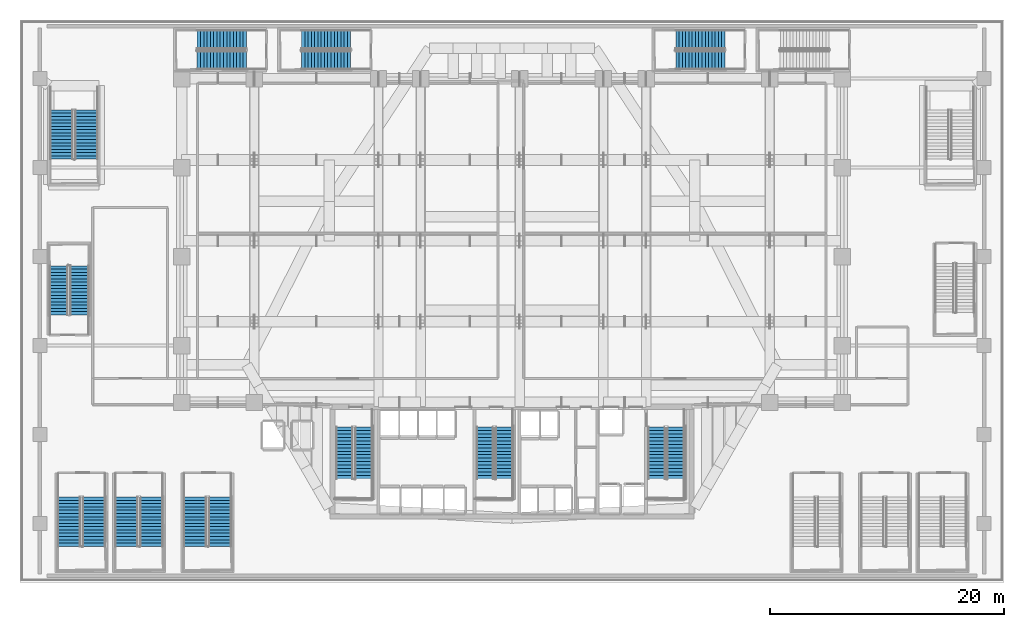
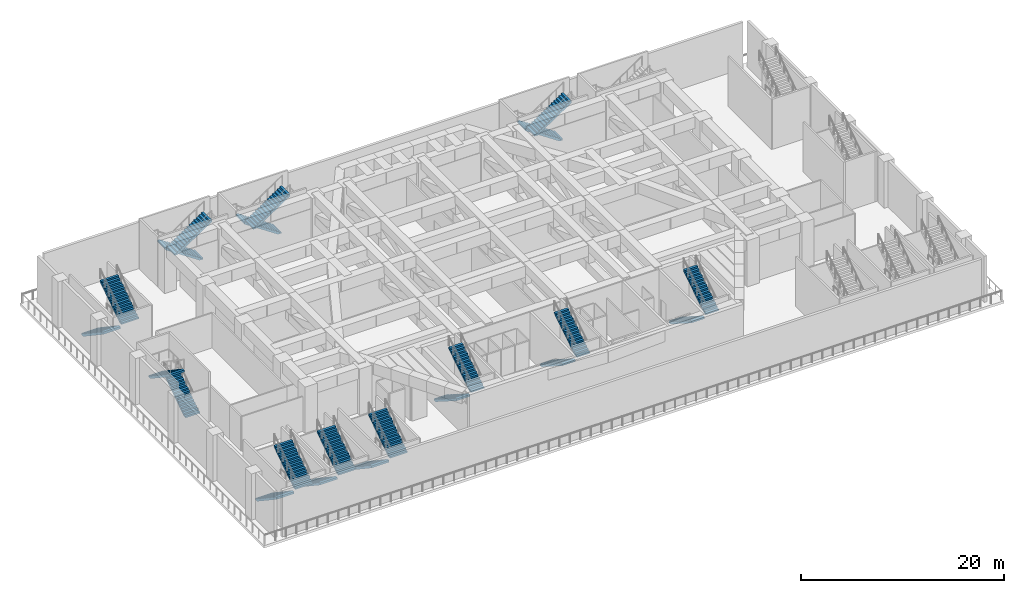
# One storey, part 13 of 27: 22 stair flights, 11 elements without a shape of their own.
"""IFC4 building model written with IfcOpenShell, lengths in metres."""

from ifc_helpers import new_model, si_unit, direction, frame, origin, place, context, subcontext, project, spatial, polyline, outline, extrude, material, type_object, element, aggregate, save


model = new_model("IFC4")

# Units and contexts
model_context = context("Model", 3, precision=1e-05, world=origin(), true_north=direction((0.0, 1.0)))
body_context = subcontext(model_context, "Body", "Model", "MODEL_VIEW")
ifc_project = project(units=[si_unit("LENGTHUNIT", "METRE"), si_unit("AREAUNIT", "SQUARE_METRE"), si_unit("VOLUMEUNIT", "CUBIC_METRE"), si_unit("PLANEANGLEUNIT", "RADIAN"), si_unit("MASSUNIT", "GRAM", prefix="KILO")], contexts=[model_context])

# Site, building, storey
site_placement = place(None, origin())
site = spatial("IfcSite", under=ifc_project, at=site_placement, CompositionType="ELEMENT")
building_placement = place(site_placement, origin())
building = spatial("IfcBuilding", under=site, at=building_placement, Name="Ndaravel Arena Tower", CompositionType="ELEMENT")
storey_placement = place(building_placement, frame((0.0, 0.0, 24.0)))
storey = spatial("IfcBuildingStorey", under=building, at=storey_placement, Name="L04", CompositionType="ELEMENT", Elevation=24.0)

# Stair, stair flights
ifc_material_1 = material(Name="Concrete C40/50", Category="concrete")
stair_type_1 = type_object("IfcStairType", Name="STAIR-ARENA-HT", PredefinedType="HALF_TURN_STAIR", material=ifc_material_1)
stair_1_placement = place(storey_placement, origin())
stair_1 = element("IfcStair", 1, at=stair_1_placement, inside=storey, type_object=stair_type_1, Name="L04 ST-A01", PredefinedType="HALF_TURN_STAIR")
ifc_material_2 = material(Name="Concrete C40/50", Category="concrete")
stair_flight_type_1 = type_object("IfcStairFlightType", Name="SFLIGHT-ARENA-1980", PredefinedType="STRAIGHT", material=ifc_material_2)
stair_flight_1_placement = place(storey_placement, frame((4.18994140625, 7.27001953125, 0.0), z_axis=(0.0, 0.0, 1.0), x_axis=(0.0, -1.0, 0.0)))
stair_flight_1 = element("IfcStairFlight", 2, at=stair_flight_1_placement, type_object=stair_flight_type_1, Name="ST-A01 flight 1", NumberOfRisers=16, NumberOfTreads=15, PredefinedType="STRAIGHT", RiserHeight=0.1875, TreadLength=0.28, context=body_context, shape_type="SweptSolid", body=[
    extrude(outline(polyline([(0.0, 0.0), (0.0, 0.1875), (0.280029296875, 0.1875), (0.280029296875, 0.375), (0.56005859375, 0.375), (0.56005859375, 0.5625), (0.840087890625, 0.5625), (0.840087890625, 0.75), (1.1201171875, 0.75), (1.1201171875, 0.9375), (1.39990234375, 0.9375), (1.39990234375, 1.125), (1.679931640625, 1.125), (1.679931640625, 1.3125), (1.9599609375, 1.3125), (1.9599609375, 1.5), (2.239990234375, 1.5), (2.239990234375, 1.6875), (2.52001953125, 1.6875), (2.52001953125, 1.875), (2.800048828125, 1.875), (2.800048828125, 2.0625), (3.080078125, 2.0625), (3.080078125, 2.25), (3.360107421875, 2.25), (3.360107421875, 2.4375), (3.639892578125, 2.4375), (3.639892578125, 2.625), (3.919921875, 2.625), (3.919921875, 2.8125), (4.199951171875, 2.8125), (4.199951171875, 3.0), (4.199951171875, 2.57177734375), (0.359375, 0.0), (0.0, 0.0)])), frame((0.0, 0.989990234375, 0.0), z_axis=(0.0, -1.0, 0.0), x_axis=(1.0, 0.0, 0.0)), (0.0, 0.0, 1.0), 1.97998046875),
])
stair_flight_2_placement = place(storey_placement, frame((6.31005859375, 3.070068359375, 3.0), z_axis=(0.0, 0.0, 1.0), x_axis=(0.0, 1.0, 0.0)))
stair_flight_2 = element("IfcStairFlight", 3, at=stair_flight_2_placement, type_object=stair_flight_type_1, Name="ST-A01 flight 2", NumberOfRisers=16, NumberOfTreads=15, PredefinedType="STRAIGHT", RiserHeight=0.1875, TreadLength=0.28, context=body_context, shape_type="SweptSolid", body=[
    extrude(outline(polyline([(0.0, 0.0), (0.0, 0.1875), (0.280029296875, 0.1875), (0.280029296875, 0.375), (0.56005859375, 0.375), (0.56005859375, 0.5625), (0.840087890625, 0.5625), (0.840087890625, 0.75), (1.1201171875, 0.75), (1.1201171875, 0.9375), (1.39990234375, 0.9375), (1.39990234375, 1.125), (1.679931640625, 1.125), (1.679931640625, 1.3125), (1.9599609375, 1.3125), (1.9599609375, 1.5), (2.239990234375, 1.5), (2.239990234375, 1.6875), (2.52001953125, 1.6875), (2.52001953125, 1.875), (2.800048828125, 1.875), (2.800048828125, 2.0625), (3.080078125, 2.0625), (3.080078125, 2.25), (3.360107421875, 2.25), (3.360107421875, 2.4375), (3.639892578125, 2.4375), (3.639892578125, 2.625), (3.919921875, 2.625), (3.919921875, 2.8125), (4.199951171875, 2.8125), (4.199951171875, 3.0), (4.199951171875, 2.57177734375), (0.359375, 0.0), (0.0, 0.0)])), frame((0.0, 0.989990234375, 0.0), z_axis=(0.0, -1.0, 0.0), x_axis=(1.0, 0.0, 0.0)), (0.0, 0.0, 1.0), 1.97998046875),
])
aggregate(stair_1, [stair_flight_1, stair_flight_2])

stair_2_placement = place(storey_placement, origin())
stair_2 = element("IfcStair", 4, at=stair_2_placement, inside=storey, type_object=stair_type_1, Name="L04 ST-A02", PredefinedType="HALF_TURN_STAIR")
stair_flight_3_placement = place(storey_placement, frame((9.090087890625, 7.27001953125, 0.0), z_axis=(0.0, 0.0, 1.0), x_axis=(0.0, -1.0, 0.0)))
stair_flight_3 = element("IfcStairFlight", 5, at=stair_flight_3_placement, type_object=stair_flight_type_1, Name="ST-A02 flight 1", NumberOfRisers=16, NumberOfTreads=15, PredefinedType="STRAIGHT", RiserHeight=0.1875, TreadLength=0.28, context=body_context, shape_type="SweptSolid", body=[
    extrude(outline(polyline([(0.0, 0.0), (0.0, 0.1875), (0.280029296875, 0.1875), (0.280029296875, 0.375), (0.56005859375, 0.375), (0.56005859375, 0.5625), (0.840087890625, 0.5625), (0.840087890625, 0.75), (1.1201171875, 0.75), (1.1201171875, 0.9375), (1.39990234375, 0.9375), (1.39990234375, 1.125), (1.679931640625, 1.125), (1.679931640625, 1.3125), (1.9599609375, 1.3125), (1.9599609375, 1.5), (2.239990234375, 1.5), (2.239990234375, 1.6875), (2.52001953125, 1.6875), (2.52001953125, 1.875), (2.800048828125, 1.875), (2.800048828125, 2.0625), (3.080078125, 2.0625), (3.080078125, 2.25), (3.360107421875, 2.25), (3.360107421875, 2.4375), (3.639892578125, 2.4375), (3.639892578125, 2.625), (3.919921875, 2.625), (3.919921875, 2.8125), (4.199951171875, 2.8125), (4.199951171875, 3.0), (4.199951171875, 2.57177734375), (0.359375, 0.0), (0.0, 0.0)])), frame((0.0, 0.989990234375, 0.0), z_axis=(0.0, -1.0, 0.0), x_axis=(1.0, 0.0, 0.0)), (0.0, 0.0, 1.0), 1.97998046875),
])
stair_flight_4_placement = place(storey_placement, frame((11.2099609375, 3.070068359375, 3.0), z_axis=(0.0, 0.0, 1.0), x_axis=(0.0, 1.0, 0.0)))
stair_flight_4 = element("IfcStairFlight", 6, at=stair_flight_4_placement, type_object=stair_flight_type_1, Name="ST-A02 flight 2", NumberOfRisers=16, NumberOfTreads=15, PredefinedType="STRAIGHT", RiserHeight=0.1875, TreadLength=0.28, context=body_context, shape_type="SweptSolid", body=[
    extrude(outline(polyline([(0.0, 0.0), (0.0, 0.1875), (0.280029296875, 0.1875), (0.280029296875, 0.375), (0.56005859375, 0.375), (0.56005859375, 0.5625), (0.840087890625, 0.5625), (0.840087890625, 0.75), (1.1201171875, 0.75), (1.1201171875, 0.9375), (1.39990234375, 0.9375), (1.39990234375, 1.125), (1.679931640625, 1.125), (1.679931640625, 1.3125), (1.9599609375, 1.3125), (1.9599609375, 1.5), (2.239990234375, 1.5), (2.239990234375, 1.6875), (2.52001953125, 1.6875), (2.52001953125, 1.875), (2.800048828125, 1.875), (2.800048828125, 2.0625), (3.080078125, 2.0625), (3.080078125, 2.25), (3.360107421875, 2.25), (3.360107421875, 2.4375), (3.639892578125, 2.4375), (3.639892578125, 2.625), (3.919921875, 2.625), (3.919921875, 2.8125), (4.199951171875, 2.8125), (4.199951171875, 3.0), (4.199951171875, 2.57177734375), (0.359375, 0.0), (0.0, 0.0)])), frame((0.0, 0.989990234375, 0.0), z_axis=(0.0, -1.0, 0.0), x_axis=(1.0, 0.0, 0.0)), (0.0, 0.0, 1.0), 1.97998046875),
])
aggregate(stair_2, [stair_flight_3, stair_flight_4])

stair_3_placement = place(storey_placement, origin())
stair_3 = element("IfcStair", 7, at=stair_3_placement, inside=storey, type_object=stair_type_1, Name="L04 ST-A03", PredefinedType="HALF_TURN_STAIR")
stair_flight_5_placement = place(storey_placement, frame((14.93994140625, 7.27001953125, 0.0), z_axis=(0.0, 0.0, 1.0), x_axis=(0.0, -1.0, 0.0)))
stair_flight_5 = element("IfcStairFlight", 8, at=stair_flight_5_placement, type_object=stair_flight_type_1, Name="ST-A03 flight 1", NumberOfRisers=16, NumberOfTreads=15, PredefinedType="STRAIGHT", RiserHeight=0.1875, TreadLength=0.28, context=body_context, shape_type="SweptSolid", body=[
    extrude(outline(polyline([(0.0, 0.0), (0.0, 0.1875), (0.280029296875, 0.1875), (0.280029296875, 0.375), (0.56005859375, 0.375), (0.56005859375, 0.5625), (0.840087890625, 0.5625), (0.840087890625, 0.75), (1.1201171875, 0.75), (1.1201171875, 0.9375), (1.39990234375, 0.9375), (1.39990234375, 1.125), (1.679931640625, 1.125), (1.679931640625, 1.3125), (1.9599609375, 1.3125), (1.9599609375, 1.5), (2.239990234375, 1.5), (2.239990234375, 1.6875), (2.52001953125, 1.6875), (2.52001953125, 1.875), (2.800048828125, 1.875), (2.800048828125, 2.0625), (3.080078125, 2.0625), (3.080078125, 2.25), (3.360107421875, 2.25), (3.360107421875, 2.4375), (3.639892578125, 2.4375), (3.639892578125, 2.625), (3.919921875, 2.625), (3.919921875, 2.8125), (4.199951171875, 2.8125), (4.199951171875, 3.0), (4.199951171875, 2.57177734375), (0.359375, 0.0), (0.0, 0.0)])), frame((0.0, 0.989990234375, 0.0), z_axis=(0.0, -1.0, 0.0), x_axis=(1.0, 0.0, 0.0)), (0.0, 0.0, 1.0), 1.97998046875),
])
stair_flight_6_placement = place(storey_placement, frame((17.06005859375, 3.070068359375, 3.0), z_axis=(0.0, 0.0, 1.0), x_axis=(0.0, 1.0, 0.0)))
stair_flight_6 = element("IfcStairFlight", 9, at=stair_flight_6_placement, type_object=stair_flight_type_1, Name="ST-A03 flight 2", NumberOfRisers=16, NumberOfTreads=15, PredefinedType="STRAIGHT", RiserHeight=0.1875, TreadLength=0.28, context=body_context, shape_type="SweptSolid", body=[
    extrude(outline(polyline([(0.0, 0.0), (0.0, 0.1875), (0.280029296875, 0.1875), (0.280029296875, 0.375), (0.56005859375, 0.375), (0.56005859375, 0.5625), (0.840087890625, 0.5625), (0.840087890625, 0.75), (1.1201171875, 0.75), (1.1201171875, 0.9375), (1.39990234375, 0.9375), (1.39990234375, 1.125), (1.679931640625, 1.125), (1.679931640625, 1.3125), (1.9599609375, 1.3125), (1.9599609375, 1.5), (2.239990234375, 1.5), (2.239990234375, 1.6875), (2.52001953125, 1.6875), (2.52001953125, 1.875), (2.800048828125, 1.875), (2.800048828125, 2.0625), (3.080078125, 2.0625), (3.080078125, 2.25), (3.360107421875, 2.25), (3.360107421875, 2.4375), (3.639892578125, 2.4375), (3.639892578125, 2.625), (3.919921875, 2.625), (3.919921875, 2.8125), (4.199951171875, 2.8125), (4.199951171875, 3.0), (4.199951171875, 2.57177734375), (0.359375, 0.0), (0.0, 0.0)])), frame((0.0, 0.989990234375, 0.0), z_axis=(0.0, -1.0, 0.0), x_axis=(1.0, 0.0, 0.0)), (0.0, 0.0, 1.0), 1.97998046875),
])
aggregate(stair_3, [stair_flight_5, stair_flight_6])

ifc_material_3 = material(Name="Concrete C40/50", Category="concrete")
stair_type_2 = type_object("IfcStairType", Name="STAIR-POD-QT", PredefinedType="QUARTER_TURN_STAIR", material=ifc_material_3)
stair_4_placement = place(storey_placement, origin())
stair_4 = element("IfcStair", 10, at=stair_4_placement, inside=storey, type_object=stair_type_2, Name="L04 ST-A07", PredefinedType="QUARTER_TURN_STAIR")
stair_flight_7_placement = place(storey_placement, frame((5.070068359375, 22.820068359375, 0.0), z_axis=(0.0, 0.0, 1.0), x_axis=(0.0, 1.0, 0.0)))
stair_flight_7 = element("IfcStairFlight", 11, at=stair_flight_7_placement, type_object=stair_flight_type_1, Name="ST-A07 flight 1", NumberOfRisers=16, NumberOfTreads=15, PredefinedType="STRAIGHT", RiserHeight=0.1875, TreadLength=0.28, context=body_context, shape_type="SweptSolid", body=[
    extrude(outline(polyline([(0.0, 0.0), (0.0, 0.1875), (0.280029296875, 0.1875), (0.280029296875, 0.375), (0.56005859375, 0.375), (0.56005859375, 0.5625), (0.840087890625, 0.5625), (0.840087890625, 0.75), (1.1201171875, 0.75), (1.1201171875, 0.9375), (1.39990234375, 0.9375), (1.39990234375, 1.125), (1.679931640625, 1.125), (1.679931640625, 1.3125), (1.9599609375, 1.3125), (1.9599609375, 1.5), (2.239990234375, 1.5), (2.239990234375, 1.6875), (2.52001953125, 1.6875), (2.52001953125, 1.875), (2.800048828125, 1.875), (2.800048828125, 2.0625), (3.080078125, 2.0625), (3.080078125, 2.25), (3.360107421875, 2.25), (3.360107421875, 2.4375), (3.639892578125, 2.4375), (3.639892578125, 2.625), (3.919921875, 2.625), (3.919921875, 2.8125), (4.199951171875, 2.8125), (4.199951171875, 3.0), (4.199951171875, 2.57177734375), (0.359375, 0.0), (0.0, 0.0)])), frame((0.0, 0.81005859375, 0.0), z_axis=(0.0, -1.0, 0.0), x_axis=(1.0, 0.0, 0.0)), (0.0, 0.0, 1.0), 1.6201171875),
])
stair_flight_8_placement = place(storey_placement, frame((3.31005859375, 27.02001953125, 3.0), z_axis=(0.0, 0.0, 1.0), x_axis=(0.0, -1.0, 0.0)))
stair_flight_8 = element("IfcStairFlight", 12, at=stair_flight_8_placement, type_object=stair_flight_type_1, Name="ST-A07 flight 2", NumberOfRisers=16, NumberOfTreads=15, PredefinedType="STRAIGHT", RiserHeight=0.1875, TreadLength=0.28, context=body_context, shape_type="SweptSolid", body=[
    extrude(outline(polyline([(0.0, 0.0), (0.0, 0.1875), (0.280029296875, 0.1875), (0.280029296875, 0.375), (0.56005859375, 0.375), (0.56005859375, 0.5625), (0.840087890625, 0.5625), (0.840087890625, 0.75), (1.1201171875, 0.75), (1.1201171875, 0.9375), (1.39990234375, 0.9375), (1.39990234375, 1.125), (1.679931640625, 1.125), (1.679931640625, 1.3125), (1.9599609375, 1.3125), (1.9599609375, 1.5), (2.239990234375, 1.5), (2.239990234375, 1.6875), (2.52001953125, 1.6875), (2.52001953125, 1.875), (2.800048828125, 1.875), (2.800048828125, 2.0625), (3.080078125, 2.0625), (3.080078125, 2.25), (3.360107421875, 2.25), (3.360107421875, 2.4375), (3.639892578125, 2.4375), (3.639892578125, 2.625), (3.919921875, 2.625), (3.919921875, 2.8125), (4.199951171875, 2.8125), (4.199951171875, 3.0), (4.199951171875, 2.57177734375), (0.359375, 0.0), (0.0, 0.0)])), frame((0.0, 0.81005859375, 0.0), z_axis=(0.0, -1.0, 0.0), x_axis=(1.0, 0.0, 0.0)), (0.0, 0.0, 1.0), 1.6201171875),
])
aggregate(stair_4, [stair_flight_7, stair_flight_8])

stair_5_placement = place(storey_placement, origin())
stair_5 = element("IfcStair", 13, at=stair_5_placement, inside=storey, type_object=stair_type_2, Name="L04 ST-A08", PredefinedType="QUARTER_TURN_STAIR")
stair_flight_9_placement = place(storey_placement, frame((19.330078125, 46.330078125, 0.0), z_axis=(0.0, 0.0, 1.0), x_axis=(-1.0, 0.0, 0.0)))
stair_flight_9 = element("IfcStairFlight", 14, at=stair_flight_9_placement, type_object=stair_flight_type_1, Name="ST-A08 flight 1", NumberOfRisers=16, NumberOfTreads=15, PredefinedType="STRAIGHT", RiserHeight=0.1875, TreadLength=0.28, context=body_context, shape_type="SweptSolid", body=[
    extrude(outline(polyline([(0.0, 0.0), (0.0, 0.1875), (0.280029296875, 0.1875), (0.280029296875, 0.375), (0.56005859375, 0.375), (0.56005859375, 0.5625), (0.840087890625, 0.5625), (0.840087890625, 0.75), (1.1201171875, 0.75), (1.1201171875, 0.9375), (1.39990234375, 0.9375), (1.39990234375, 1.125), (1.679931640625, 1.125), (1.679931640625, 1.3125), (1.9599609375, 1.3125), (1.9599609375, 1.5), (2.239990234375, 1.5), (2.239990234375, 1.6875), (2.52001953125, 1.6875), (2.52001953125, 1.875), (2.800048828125, 1.875), (2.800048828125, 2.0625), (3.080078125, 2.0625), (3.080078125, 2.25), (3.360107421875, 2.25), (3.360107421875, 2.4375), (3.639892578125, 2.4375), (3.639892578125, 2.625), (3.919921875, 2.625), (3.919921875, 2.8125), (4.199951171875, 2.8125), (4.199951171875, 3.0), (4.199951171875, 2.57177734375), (0.359375, 0.0), (0.0, 0.0)])), frame((0.0, 0.81005859375, 0.0), z_axis=(0.0, -1.0, 0.0), x_axis=(1.0, 0.0, 0.0)), (0.0, 0.0, 1.0), 1.6201171875),
])
stair_flight_10_placement = place(storey_placement, frame((15.1298828125, 44.570068359375, 3.0), z_axis=(0.0, 0.0, 1.0), x_axis=(1.0, 0.0, 0.0)))
stair_flight_10 = element("IfcStairFlight", 15, at=stair_flight_10_placement, type_object=stair_flight_type_1, Name="ST-A08 flight 2", NumberOfRisers=16, NumberOfTreads=15, PredefinedType="STRAIGHT", RiserHeight=0.1875, TreadLength=0.28, context=body_context, shape_type="SweptSolid", body=[
    extrude(outline(polyline([(0.0, 0.0), (0.0, 0.1875), (0.280029296875, 0.1875), (0.280029296875, 0.375), (0.56005859375, 0.375), (0.56005859375, 0.5625), (0.840087890625, 0.5625), (0.840087890625, 0.75), (1.1201171875, 0.75), (1.1201171875, 0.9375), (1.39990234375, 0.9375), (1.39990234375, 1.125), (1.679931640625, 1.125), (1.679931640625, 1.3125), (1.9599609375, 1.3125), (1.9599609375, 1.5), (2.239990234375, 1.5), (2.239990234375, 1.6875), (2.52001953125, 1.6875), (2.52001953125, 1.875), (2.800048828125, 1.875), (2.800048828125, 2.0625), (3.080078125, 2.0625), (3.080078125, 2.25), (3.360107421875, 2.25), (3.360107421875, 2.4375), (3.639892578125, 2.4375), (3.639892578125, 2.625), (3.919921875, 2.625), (3.919921875, 2.8125), (4.199951171875, 2.8125), (4.199951171875, 3.0), (4.199951171875, 2.57177734375), (0.359375, 0.0), (0.0, 0.0)])), frame((0.0, 0.81005859375, 0.0), z_axis=(0.0, -1.0, 0.0), x_axis=(1.0, 0.0, 0.0)), (0.0, 0.0, 1.0), 1.6201171875),
])
aggregate(stair_5, [stair_flight_9, stair_flight_10])

stair_6_placement = place(storey_placement, origin())
stair_6 = element("IfcStair", 16, at=stair_6_placement, inside=storey, type_object=stair_type_2, Name="L04 ST-A09", PredefinedType="QUARTER_TURN_STAIR")
stair_flight_11_placement = place(storey_placement, frame((28.22998046875, 46.330078125, 0.0), z_axis=(0.0, 0.0, 1.0), x_axis=(-1.0, 0.0, 0.0)))
stair_flight_11 = element("IfcStairFlight", 17, at=stair_flight_11_placement, type_object=stair_flight_type_1, Name="ST-A09 flight 1", NumberOfRisers=16, NumberOfTreads=15, PredefinedType="STRAIGHT", RiserHeight=0.1875, TreadLength=0.28, context=body_context, shape_type="SweptSolid", body=[
    extrude(outline(polyline([(0.0, 0.0), (0.0, 0.1875), (0.280029296875, 0.1875), (0.280029296875, 0.375), (0.56005859375, 0.375), (0.56005859375, 0.5625), (0.840087890625, 0.5625), (0.840087890625, 0.75), (1.1201171875, 0.75), (1.1201171875, 0.9375), (1.39990234375, 0.9375), (1.39990234375, 1.125), (1.679931640625, 1.125), (1.679931640625, 1.3125), (1.9599609375, 1.3125), (1.9599609375, 1.5), (2.239990234375, 1.5), (2.239990234375, 1.6875), (2.52001953125, 1.6875), (2.52001953125, 1.875), (2.800048828125, 1.875), (2.800048828125, 2.0625), (3.080078125, 2.0625), (3.080078125, 2.25), (3.360107421875, 2.25), (3.360107421875, 2.4375), (3.639892578125, 2.4375), (3.639892578125, 2.625), (3.919921875, 2.625), (3.919921875, 2.8125), (4.199951171875, 2.8125), (4.199951171875, 3.0), (4.199951171875, 2.57177734375), (0.359375, 0.0), (0.0, 0.0)])), frame((0.0, 0.81005859375, 0.0), z_axis=(0.0, -1.0, 0.0), x_axis=(1.0, 0.0, 0.0)), (0.0, 0.0, 1.0), 1.6201171875),
])
stair_flight_12_placement = place(storey_placement, frame((24.030029296875, 44.570068359375, 3.0), z_axis=(0.0, 0.0, 1.0), x_axis=(1.0, 0.0, 0.0)))
stair_flight_12 = element("IfcStairFlight", 18, at=stair_flight_12_placement, type_object=stair_flight_type_1, Name="ST-A09 flight 2", NumberOfRisers=16, NumberOfTreads=15, PredefinedType="STRAIGHT", RiserHeight=0.1875, TreadLength=0.28, context=body_context, shape_type="SweptSolid", body=[
    extrude(outline(polyline([(0.0, 0.0), (0.0, 0.1875), (0.280029296875, 0.1875), (0.280029296875, 0.375), (0.56005859375, 0.375), (0.56005859375, 0.5625), (0.840087890625, 0.5625), (0.840087890625, 0.75), (1.1201171875, 0.75), (1.1201171875, 0.9375), (1.39990234375, 0.9375), (1.39990234375, 1.125), (1.679931640625, 1.125), (1.679931640625, 1.3125), (1.9599609375, 1.3125), (1.9599609375, 1.5), (2.239990234375, 1.5), (2.239990234375, 1.6875), (2.52001953125, 1.6875), (2.52001953125, 1.875), (2.800048828125, 1.875), (2.800048828125, 2.0625), (3.080078125, 2.0625), (3.080078125, 2.25), (3.360107421875, 2.25), (3.360107421875, 2.4375), (3.639892578125, 2.4375), (3.639892578125, 2.625), (3.919921875, 2.625), (3.919921875, 2.8125), (4.199951171875, 2.8125), (4.199951171875, 3.0), (4.199951171875, 2.57177734375), (0.359375, 0.0), (0.0, 0.0)])), frame((0.0, 0.81005859375, 0.0), z_axis=(0.0, -1.0, 0.0), x_axis=(1.0, 0.0, 0.0)), (0.0, 0.0, 1.0), 1.6201171875),
])
aggregate(stair_6, [stair_flight_11, stair_flight_12])

stair_7_placement = place(storey_placement, origin())
stair_7 = element("IfcStair", 19, at=stair_7_placement, inside=storey, type_object=stair_type_2, Name="L04 ST-A10", PredefinedType="QUARTER_TURN_STAIR")
stair_flight_13_placement = place(storey_placement, frame((60.179931640625, 46.330078125, 0.0), z_axis=(0.0, 0.0, 1.0), x_axis=(-1.0, 0.0, 0.0)))
stair_flight_13 = element("IfcStairFlight", 20, at=stair_flight_13_placement, type_object=stair_flight_type_1, Name="ST-A10 flight 1", NumberOfRisers=16, NumberOfTreads=15, PredefinedType="STRAIGHT", RiserHeight=0.1875, TreadLength=0.28, context=body_context, shape_type="SweptSolid", body=[
    extrude(outline(polyline([(0.0, 0.0), (0.0, 0.1875), (0.280029296875, 0.1875), (0.280029296875, 0.375), (0.56005859375, 0.375), (0.56005859375, 0.5625), (0.840087890625, 0.5625), (0.840087890625, 0.75), (1.1201171875, 0.75), (1.1201171875, 0.9375), (1.39990234375, 0.9375), (1.39990234375, 1.125), (1.679931640625, 1.125), (1.679931640625, 1.3125), (1.9599609375, 1.3125), (1.9599609375, 1.5), (2.239990234375, 1.5), (2.239990234375, 1.6875), (2.52001953125, 1.6875), (2.52001953125, 1.875), (2.800048828125, 1.875), (2.800048828125, 2.0625), (3.080078125, 2.0625), (3.080078125, 2.25), (3.360107421875, 2.25), (3.360107421875, 2.4375), (3.639892578125, 2.4375), (3.639892578125, 2.625), (3.919921875, 2.625), (3.919921875, 2.8125), (4.199951171875, 2.8125), (4.199951171875, 3.0), (4.199951171875, 2.57177734375), (0.359375, 0.0), (0.0, 0.0)])), frame((0.0, 0.81005859375, 0.0), z_axis=(0.0, -1.0, 0.0), x_axis=(1.0, 0.0, 0.0)), (0.0, 0.0, 1.0), 1.6201171875),
])
stair_flight_14_placement = place(storey_placement, frame((55.97998046875, 44.570068359375, 3.0), z_axis=(0.0, 0.0, 1.0), x_axis=(1.0, 0.0, 0.0)))
stair_flight_14 = element("IfcStairFlight", 21, at=stair_flight_14_placement, type_object=stair_flight_type_1, Name="ST-A10 flight 2", NumberOfRisers=16, NumberOfTreads=15, PredefinedType="STRAIGHT", RiserHeight=0.1875, TreadLength=0.28, context=body_context, shape_type="SweptSolid", body=[
    extrude(outline(polyline([(0.0, 0.0), (0.0, 0.1875), (0.280029296875, 0.1875), (0.280029296875, 0.375), (0.56005859375, 0.375), (0.56005859375, 0.5625), (0.840087890625, 0.5625), (0.840087890625, 0.75), (1.1201171875, 0.75), (1.1201171875, 0.9375), (1.39990234375, 0.9375), (1.39990234375, 1.125), (1.679931640625, 1.125), (1.679931640625, 1.3125), (1.9599609375, 1.3125), (1.9599609375, 1.5), (2.239990234375, 1.5), (2.239990234375, 1.6875), (2.52001953125, 1.6875), (2.52001953125, 1.875), (2.800048828125, 1.875), (2.800048828125, 2.0625), (3.080078125, 2.0625), (3.080078125, 2.25), (3.360107421875, 2.25), (3.360107421875, 2.4375), (3.639892578125, 2.4375), (3.639892578125, 2.625), (3.919921875, 2.625), (3.919921875, 2.8125), (4.199951171875, 2.8125), (4.199951171875, 3.0), (4.199951171875, 2.57177734375), (0.359375, 0.0), (0.0, 0.0)])), frame((0.0, 0.81005859375, 0.0), z_axis=(0.0, -1.0, 0.0), x_axis=(1.0, 0.0, 0.0)), (0.0, 0.0, 1.0), 1.6201171875),
])
aggregate(stair_7, [stair_flight_13, stair_flight_14])

ifc_material_4 = material(Name="Concrete C40/50", Category="concrete")
stair_type_3 = type_object("IfcStairType", Name="STAIR-CORE-HT", PredefinedType="HALF_TURN_STAIR", material=ifc_material_4)
stair_8_placement = place(storey_placement, origin())
stair_8 = element("IfcStair", 22, at=stair_8_placement, inside=storey, type_object=stair_type_3, Name="L04 ST-1", PredefinedType="HALF_TURN_STAIR")
ifc_material_5 = material(Name="Concrete C40/50", Category="concrete")
stair_flight_type_2 = type_object("IfcStairFlightType", Name="SFLIGHT-CORE-1680", PredefinedType="STRAIGHT", material=ifc_material_5)
stair_flight_15_placement = place(storey_placement, frame((27.699951171875, 13.25, 0.0), z_axis=(0.0, 0.0, 1.0), x_axis=(0.0, -1.0, 0.0)))
stair_flight_15 = element("IfcStairFlight", 23, at=stair_flight_15_placement, type_object=stair_flight_type_2, Name="ST-1 flight 1", NumberOfRisers=16, NumberOfTreads=15, PredefinedType="STRAIGHT", RiserHeight=0.1875, TreadLength=0.295, context=body_context, shape_type="SweptSolid", body=[
    extrude(outline(polyline([(0.0, 0.0), (0.0, 0.1875), (0.294921875, 0.1875), (0.294921875, 0.375), (0.590087890625, 0.375), (0.590087890625, 0.5625), (0.885009765625, 0.5625), (0.885009765625, 0.75), (1.179931640625, 0.75), (1.179931640625, 0.9375), (1.47509765625, 0.9375), (1.47509765625, 1.125), (1.77001953125, 1.125), (1.77001953125, 1.3125), (2.06494140625, 1.3125), (2.06494140625, 1.5), (2.360107421875, 1.5), (2.360107421875, 1.6875), (2.655029296875, 1.6875), (2.655029296875, 1.875), (2.949951171875, 1.875), (2.949951171875, 2.0625), (3.2451171875, 2.0625), (3.2451171875, 2.25), (3.5400390625, 2.25), (3.5400390625, 2.4375), (3.8349609375, 2.4375), (3.8349609375, 2.625), (4.1298828125, 2.625), (4.1298828125, 2.8125), (4.425048828125, 2.8125), (4.425048828125, 3.0), (4.425048828125, 2.599365234375), (0.33544921875, 0.0), (0.0, 0.0)])), frame((0.0, 0.75, 0.0), z_axis=(0.0, -1.0, 0.0), x_axis=(1.0, 0.0, 0.0)), (0.0, 0.0, 1.0), 1.5),
])
stair_flight_16_placement = place(storey_placement, frame((29.340087890625, 8.824951171875, 3.0), z_axis=(0.0, 0.0, 1.0), x_axis=(0.0, 1.0, 0.0)))
stair_flight_16 = element("IfcStairFlight", 24, at=stair_flight_16_placement, type_object=stair_flight_type_2, Name="ST-1 flight 2", NumberOfRisers=16, NumberOfTreads=15, PredefinedType="STRAIGHT", RiserHeight=0.1875, TreadLength=0.295, context=body_context, shape_type="SweptSolid", body=[
    extrude(outline(polyline([(0.0, 0.0), (0.0, 0.1875), (0.294921875, 0.1875), (0.294921875, 0.375), (0.590087890625, 0.375), (0.590087890625, 0.5625), (0.885009765625, 0.5625), (0.885009765625, 0.75), (1.179931640625, 0.75), (1.179931640625, 0.9375), (1.47509765625, 0.9375), (1.47509765625, 1.125), (1.77001953125, 1.125), (1.77001953125, 1.3125), (2.06494140625, 1.3125), (2.06494140625, 1.5), (2.360107421875, 1.5), (2.360107421875, 1.6875), (2.655029296875, 1.6875), (2.655029296875, 1.875), (2.949951171875, 1.875), (2.949951171875, 2.0625), (3.2451171875, 2.0625), (3.2451171875, 2.25), (3.5400390625, 2.25), (3.5400390625, 2.4375), (3.8349609375, 2.4375), (3.8349609375, 2.625), (4.1298828125, 2.625), (4.1298828125, 2.8125), (4.425048828125, 2.8125), (4.425048828125, 3.0), (4.425048828125, 2.599365234375), (0.33544921875, 0.0), (0.0, 0.0)])), frame((0.0, 0.75, 0.0), z_axis=(0.0, -1.0, 0.0), x_axis=(1.0, 0.0, 0.0)), (0.0, 0.0, 1.0), 1.5),
])
aggregate(stair_8, [stair_flight_15, stair_flight_16])

stair_9_placement = place(storey_placement, origin())
stair_9 = element("IfcStair", 25, at=stair_9_placement, inside=storey, type_object=stair_type_3, Name="L04 ST-2", PredefinedType="HALF_TURN_STAIR")
stair_flight_17_placement = place(storey_placement, frame((39.699951171875, 13.25, 0.0), z_axis=(0.0, 0.0, 1.0), x_axis=(0.0, -1.0, 0.0)))
stair_flight_17 = element("IfcStairFlight", 26, at=stair_flight_17_placement, type_object=stair_flight_type_2, Name="ST-2 flight 1", NumberOfRisers=16, NumberOfTreads=15, PredefinedType="STRAIGHT", RiserHeight=0.1875, TreadLength=0.295, context=body_context, shape_type="SweptSolid", body=[
    extrude(outline(polyline([(0.0, 0.0), (0.0, 0.1875), (0.294921875, 0.1875), (0.294921875, 0.375), (0.590087890625, 0.375), (0.590087890625, 0.5625), (0.885009765625, 0.5625), (0.885009765625, 0.75), (1.179931640625, 0.75), (1.179931640625, 0.9375), (1.47509765625, 0.9375), (1.47509765625, 1.125), (1.77001953125, 1.125), (1.77001953125, 1.3125), (2.06494140625, 1.3125), (2.06494140625, 1.5), (2.360107421875, 1.5), (2.360107421875, 1.6875), (2.655029296875, 1.6875), (2.655029296875, 1.875), (2.949951171875, 1.875), (2.949951171875, 2.0625), (3.2451171875, 2.0625), (3.2451171875, 2.25), (3.5400390625, 2.25), (3.5400390625, 2.4375), (3.8349609375, 2.4375), (3.8349609375, 2.625), (4.1298828125, 2.625), (4.1298828125, 2.8125), (4.425048828125, 2.8125), (4.425048828125, 3.0), (4.425048828125, 2.599365234375), (0.33544921875, 0.0), (0.0, 0.0)])), frame((0.0, 0.75, 0.0), z_axis=(0.0, -1.0, 0.0), x_axis=(1.0, 0.0, 0.0)), (0.0, 0.0, 1.0), 1.5),
])
stair_flight_18_placement = place(storey_placement, frame((41.340087890625, 8.824951171875, 3.0), z_axis=(0.0, 0.0, 1.0), x_axis=(0.0, 1.0, 0.0)))
stair_flight_18 = element("IfcStairFlight", 27, at=stair_flight_18_placement, type_object=stair_flight_type_2, Name="ST-2 flight 2", NumberOfRisers=16, NumberOfTreads=15, PredefinedType="STRAIGHT", RiserHeight=0.1875, TreadLength=0.295, context=body_context, shape_type="SweptSolid", body=[
    extrude(outline(polyline([(0.0, 0.0), (0.0, 0.1875), (0.294921875, 0.1875), (0.294921875, 0.375), (0.590087890625, 0.375), (0.590087890625, 0.5625), (0.885009765625, 0.5625), (0.885009765625, 0.75), (1.179931640625, 0.75), (1.179931640625, 0.9375), (1.47509765625, 0.9375), (1.47509765625, 1.125), (1.77001953125, 1.125), (1.77001953125, 1.3125), (2.06494140625, 1.3125), (2.06494140625, 1.5), (2.360107421875, 1.5), (2.360107421875, 1.6875), (2.655029296875, 1.6875), (2.655029296875, 1.875), (2.949951171875, 1.875), (2.949951171875, 2.0625), (3.2451171875, 2.0625), (3.2451171875, 2.25), (3.5400390625, 2.25), (3.5400390625, 2.4375), (3.8349609375, 2.4375), (3.8349609375, 2.625), (4.1298828125, 2.625), (4.1298828125, 2.8125), (4.425048828125, 2.8125), (4.425048828125, 3.0), (4.425048828125, 2.599365234375), (0.33544921875, 0.0), (0.0, 0.0)])), frame((0.0, 0.75, 0.0), z_axis=(0.0, -1.0, 0.0), x_axis=(1.0, 0.0, 0.0)), (0.0, 0.0, 1.0), 1.5),
])
aggregate(stair_9, [stair_flight_17, stair_flight_18])

stair_10_placement = place(storey_placement, origin())
stair_10 = element("IfcStair", 28, at=stair_10_placement, inside=storey, type_object=stair_type_3, Name="L04 ST-3", PredefinedType="HALF_TURN_STAIR")
stair_flight_19_placement = place(storey_placement, frame((54.35009765625, 13.25, 0.0), z_axis=(0.0, 0.0, 1.0), x_axis=(0.0, -1.0, 0.0)))
stair_flight_19 = element("IfcStairFlight", 29, at=stair_flight_19_placement, type_object=stair_flight_type_2, Name="ST-3 flight 1", NumberOfRisers=16, NumberOfTreads=15, PredefinedType="STRAIGHT", RiserHeight=0.1875, TreadLength=0.295, context=body_context, shape_type="SweptSolid", body=[
    extrude(outline(polyline([(0.0, 0.0), (0.0, 0.1875), (0.294921875, 0.1875), (0.294921875, 0.375), (0.590087890625, 0.375), (0.590087890625, 0.5625), (0.885009765625, 0.5625), (0.885009765625, 0.75), (1.179931640625, 0.75), (1.179931640625, 0.9375), (1.47509765625, 0.9375), (1.47509765625, 1.125), (1.77001953125, 1.125), (1.77001953125, 1.3125), (2.06494140625, 1.3125), (2.06494140625, 1.5), (2.360107421875, 1.5), (2.360107421875, 1.6875), (2.655029296875, 1.6875), (2.655029296875, 1.875), (2.949951171875, 1.875), (2.949951171875, 2.0625), (3.2451171875, 2.0625), (3.2451171875, 2.25), (3.5400390625, 2.25), (3.5400390625, 2.4375), (3.8349609375, 2.4375), (3.8349609375, 2.625), (4.1298828125, 2.625), (4.1298828125, 2.8125), (4.425048828125, 2.8125), (4.425048828125, 3.0), (4.425048828125, 2.599365234375), (0.33544921875, 0.0), (0.0, 0.0)])), frame((0.0, 0.75, 0.0), z_axis=(0.0, -1.0, 0.0), x_axis=(1.0, 0.0, 0.0)), (0.0, 0.0, 1.0), 1.5),
])
stair_flight_20_placement = place(storey_placement, frame((55.989990234375, 8.824951171875, 3.0), z_axis=(0.0, 0.0, 1.0), x_axis=(0.0, 1.0, 0.0)))
stair_flight_20 = element("IfcStairFlight", 30, at=stair_flight_20_placement, type_object=stair_flight_type_2, Name="ST-3 flight 2", NumberOfRisers=16, NumberOfTreads=15, PredefinedType="STRAIGHT", RiserHeight=0.1875, TreadLength=0.295, context=body_context, shape_type="SweptSolid", body=[
    extrude(outline(polyline([(0.0, 0.0), (0.0, 0.1875), (0.294921875, 0.1875), (0.294921875, 0.375), (0.590087890625, 0.375), (0.590087890625, 0.5625), (0.885009765625, 0.5625), (0.885009765625, 0.75), (1.179931640625, 0.75), (1.179931640625, 0.9375), (1.47509765625, 0.9375), (1.47509765625, 1.125), (1.77001953125, 1.125), (1.77001953125, 1.3125), (2.06494140625, 1.3125), (2.06494140625, 1.5), (2.360107421875, 1.5), (2.360107421875, 1.6875), (2.655029296875, 1.6875), (2.655029296875, 1.875), (2.949951171875, 1.875), (2.949951171875, 2.0625), (3.2451171875, 2.0625), (3.2451171875, 2.25), (3.5400390625, 2.25), (3.5400390625, 2.4375), (3.8349609375, 2.4375), (3.8349609375, 2.625), (4.1298828125, 2.625), (4.1298828125, 2.8125), (4.425048828125, 2.8125), (4.425048828125, 3.0), (4.425048828125, 2.599365234375), (0.33544921875, 0.0), (0.0, 0.0)])), frame((0.0, 0.75, 0.0), z_axis=(0.0, -1.0, 0.0), x_axis=(1.0, 0.0, 0.0)), (0.0, 0.0, 1.0), 1.5),
])
aggregate(stair_10, [stair_flight_19, stair_flight_20])

ifc_material_6 = material(Name="Concrete C40/50", Category="concrete")
stair_type_4 = type_object("IfcStairType", Name="STAIR-FEAT-TSR", PredefinedType="TWO_STRAIGHT_RUN_STAIR", material=ifc_material_6)
stair_11_placement = place(storey_placement, origin())
stair_11 = element("IfcStair", 31, at=stair_11_placement, inside=storey, type_object=stair_type_4, Name="L04 ST-GDN-1", PredefinedType="TWO_STRAIGHT_RUN_STAIR")
ifc_material_7 = material(Name="Concrete C40/50", Category="concrete")
stair_flight_type_3 = type_object("IfcStairFlightType", Name="SFLIGHT-FEAT-2100", PredefinedType="STRAIGHT", material=ifc_material_7)
stair_flight_21_placement = place(storey_placement, frame((3.5400390625, 40.320068359375, 0.0), z_axis=(0.0, 0.0, 1.0), x_axis=(0.0, -1.0, 0.0)))
stair_flight_21 = element("IfcStairFlight", 32, at=stair_flight_21_placement, type_object=stair_flight_type_3, Name="ST-GDN-1 flight 1", NumberOfRisers=16, NumberOfTreads=15, PredefinedType="STRAIGHT", RiserHeight=0.1875, TreadLength=0.28, context=body_context, shape_type="SweptSolid", body=[
    extrude(outline(polyline([(0.0, 0.0), (0.0, 0.1875), (0.280029296875, 0.1875), (0.280029296875, 0.375), (0.56005859375, 0.375), (0.56005859375, 0.5625), (0.840087890625, 0.5625), (0.840087890625, 0.75), (1.1201171875, 0.75), (1.1201171875, 0.9375), (1.39990234375, 0.9375), (1.39990234375, 1.125), (1.679931640625, 1.125), (1.679931640625, 1.3125), (1.9599609375, 1.3125), (1.9599609375, 1.5), (2.239990234375, 1.5), (2.239990234375, 1.6875), (2.52001953125, 1.6875), (2.52001953125, 1.875), (2.800048828125, 1.875), (2.800048828125, 2.0625), (3.080078125, 2.0625), (3.080078125, 2.25), (3.360107421875, 2.25), (3.360107421875, 2.4375), (3.639892578125, 2.4375), (3.639892578125, 2.625), (3.919921875, 2.625), (3.919921875, 2.8125), (4.199951171875, 2.8125), (4.199951171875, 3.0), (4.199951171875, 2.5478515625), (0.395263671875, 0.0), (0.0, 0.0)])), frame((0.0, 0.989990234375, 0.0), z_axis=(0.0, -1.0, 0.0), x_axis=(1.0, 0.0, 0.0)), (0.0, 0.0, 1.0), 1.97998046875),
])
stair_flight_22_placement = place(storey_placement, frame((5.659912109375, 36.1201171875, 3.0), z_axis=(0.0, 0.0, 1.0), x_axis=(0.0, 1.0, 0.0)))
stair_flight_22 = element("IfcStairFlight", 33, at=stair_flight_22_placement, type_object=stair_flight_type_3, Name="ST-GDN-1 flight 2", NumberOfRisers=16, NumberOfTreads=15, PredefinedType="STRAIGHT", RiserHeight=0.1875, TreadLength=0.28, context=body_context, shape_type="SweptSolid", body=[
    extrude(outline(polyline([(0.0, 0.0), (0.0, 0.1875), (0.280029296875, 0.1875), (0.280029296875, 0.375), (0.56005859375, 0.375), (0.56005859375, 0.5625), (0.840087890625, 0.5625), (0.840087890625, 0.75), (1.1201171875, 0.75), (1.1201171875, 0.9375), (1.39990234375, 0.9375), (1.39990234375, 1.125), (1.679931640625, 1.125), (1.679931640625, 1.3125), (1.9599609375, 1.3125), (1.9599609375, 1.5), (2.239990234375, 1.5), (2.239990234375, 1.6875), (2.52001953125, 1.6875), (2.52001953125, 1.875), (2.800048828125, 1.875), (2.800048828125, 2.0625), (3.080078125, 2.0625), (3.080078125, 2.25), (3.360107421875, 2.25), (3.360107421875, 2.4375), (3.639892578125, 2.4375), (3.639892578125, 2.625), (3.919921875, 2.625), (3.919921875, 2.8125), (4.199951171875, 2.8125), (4.199951171875, 3.0), (4.199951171875, 2.5478515625), (0.395263671875, 0.0), (0.0, 0.0)])), frame((0.0, 0.989990234375, 0.0), z_axis=(0.0, -1.0, 0.0), x_axis=(1.0, 0.0, 0.0)), (0.0, 0.0, 1.0), 1.97998046875),
])
aggregate(stair_11, [stair_flight_21, stair_flight_22])

save(model, "model.ifc")
